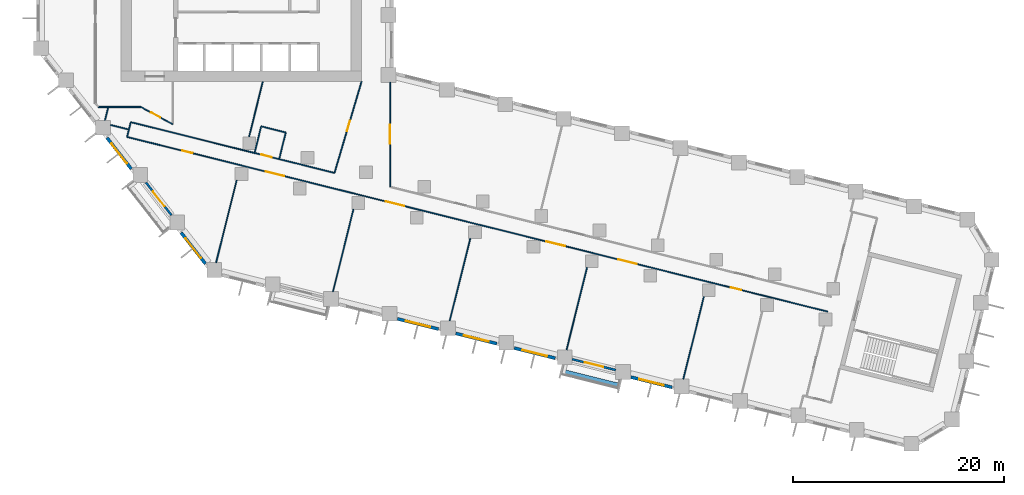
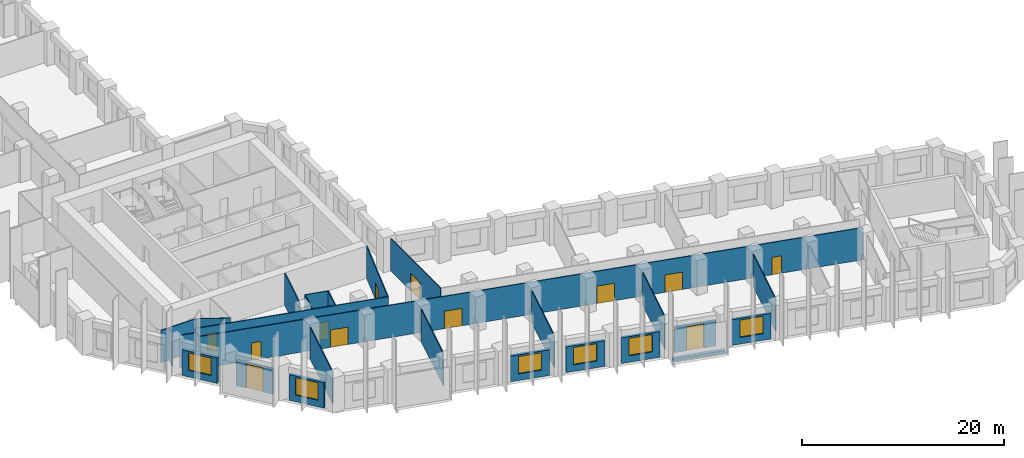
# One storey, part 3 of 12: 27 walls, 12 doors, 6 windows, 18 openings.
"""IFC4 building model written with IfcOpenShell, lengths in metres."""

from ifc_helpers import new_model, si_unit, direction, frame, frame_2d, origin, place, context, subcontext, project, spatial, rectangle, extrude, material, layer, layer_set, type_object, element, fill, save


model = new_model("IFC4")

# Units and contexts
model_context = context("Model", 3, precision=1e-05, world=origin(), true_north=direction((0.0, 1.0)))
body_context = subcontext(model_context, "Body", "Model", "MODEL_VIEW")
ifc_project = project(units=[si_unit("LENGTHUNIT", "METRE"), si_unit("AREAUNIT", "SQUARE_METRE"), si_unit("VOLUMEUNIT", "CUBIC_METRE"), si_unit("PLANEANGLEUNIT", "RADIAN"), si_unit("MASSUNIT", "GRAM", prefix="KILO")], contexts=[model_context])

# Site, building, storey
site_placement = place(None, origin())
site = spatial("IfcSite", under=ifc_project, at=site_placement, CompositionType="ELEMENT")
building_placement = place(site_placement, origin())
building = spatial("IfcBuilding", under=site, at=building_placement, Name="Meshkara Civic Tower", CompositionType="ELEMENT")
storey_placement = place(building_placement, frame((0.0, 0.0, 83.39990234375)))
storey = spatial("IfcBuildingStorey", under=building, at=storey_placement, Name="L18", CompositionType="ELEMENT", Elevation=83.39990234375)

# Wall
ifc_material_1 = material(Name="Corridor wall 100")
ifc_layer_1 = layer(ifc_material_1, 0.10009765625)
ifc_layer_set_1 = layer_set([ifc_layer_1], Name="Corridor wall 100")
wall_type_1 = type_object("IfcWallType", Name="Corridor wall 100", PredefinedType="PARTITIONING", material=ifc_layer_set_1)
wall_1_placement = place(storey_placement, frame((5.867919921875, 11.699951171875, 0.0), z_axis=(0.0, 0.0, 1.0), x_axis=(1.0, 0.0, 0.0)))
element("IfcWall", 1, at=wall_1_placement, inside=storey, type_object=wall_type_1, Name="L18-W006", PredefinedType="PARTITIONING", context=body_context, shape_type="SweptSolid", body=[
    extrude(rectangle(XDim=4.031982421875, YDim=0.10009765625, at=frame_2d((2.01611328125, 0.0))), origin(), (0.0, 0.0, 1.0), 3.900146484375),
])

# Wall, openings, doors
wall_2_placement = place(storey_placement, frame((8.593994140625, 8.862060546875, 0.0), z_axis=(0.0, 0.0, 1.0), x_axis=(0.970293746648, -0.241929835316, 0.0)))
wall_2 = element("IfcWall", 2, at=wall_2_placement, inside=storey, type_object=wall_type_1, Name="L18-W008", PredefinedType="PARTITIONING", context=body_context, shape_type="SweptSolid", body=[
    extrude(rectangle(XDim=68.375244140625, YDim=0.10009765625, at=frame_2d((34.1875, 0.0))), origin(), (0.0, 0.0, 1.0), 3.900146484375),
])
opening_1_placement = place(wall_2_placement, frame((40.93994140625, 0.0, 0.0)))
opening_1 = element("IfcOpeningElement", 3, at=opening_1_placement, cuts=wall_2, Name="Opening L18-D003", PredefinedType="OPENING", context=body_context, shape_type="SweptSolid", body=[
    extrude(rectangle(XDim=1.800048828125, YDim=2.10009765625, at=frame_2d((0.89990234375, 1.050048828125))), frame((0.0, 0.06005859375, 0.0), z_axis=(0.0, -1.0, 0.0), x_axis=(1.0, 0.0, 0.0)), (0.0, 0.0, 1.0), 0.1201171875),
])
opening_2_placement = place(wall_2_placement, frame((47.94091796875, 0.0, 0.0)))
opening_2 = element("IfcOpeningElement", 4, at=opening_2_placement, cuts=wall_2, Name="Opening L18-D005", PredefinedType="OPENING", context=body_context, shape_type="SweptSolid", body=[
    extrude(rectangle(XDim=1.800048828125, YDim=2.10009765625, at=frame_2d((0.89990234375, 1.050048828125))), frame((0.0, 0.06005859375, 0.0), z_axis=(0.0, -1.0, 0.0), x_axis=(1.0, 0.0, 0.0)), (0.0, 0.0, 1.0), 0.1201171875),
])
opening_3_placement = place(wall_2_placement, frame((58.93994140625, 0.0, 0.0)))
opening_3 = element("IfcOpeningElement", 5, at=opening_3_placement, cuts=wall_2, Name="Opening L18-D006", PredefinedType="OPENING", context=body_context, shape_type="SweptSolid", body=[
    extrude(rectangle(XDim=1.0, YDim=2.10009765625, at=frame_2d((0.5, 1.050048828125))), frame((0.0, 0.06005859375, 0.0), z_axis=(0.0, -1.0, 0.0), x_axis=(1.0, 0.0, 0.0)), (0.0, 0.0, 1.0), 0.1201171875),
])
opening_4_placement = place(wall_2_placement, frame((13.5400390625, 0.0, 0.0)))
opening_4 = element("IfcOpeningElement", 6, at=opening_4_placement, cuts=wall_2, Name="Opening L18-D010", PredefinedType="OPENING", context=body_context, shape_type="SweptSolid", body=[
    extrude(rectangle(XDim=1.800048828125, YDim=2.10009765625, at=frame_2d((0.89990234375, 1.050048828125))), frame((0.0, 0.06005859375, 0.0), z_axis=(0.0, -1.0, 0.0), x_axis=(1.0, 0.0, 0.0)), (0.0, 0.0, 1.0), 0.1201171875),
])
opening_5_placement = place(wall_2_placement, frame((25.239990234375, 0.0, 0.0)))
opening_5 = element("IfcOpeningElement", 7, at=opening_5_placement, cuts=wall_2, Name="Opening L18-D011", PredefinedType="OPENING", context=body_context, shape_type="SweptSolid", body=[
    extrude(rectangle(XDim=1.800048828125, YDim=2.10009765625, at=frame_2d((0.89990234375, 1.050048828125))), frame((0.0, 0.06005859375, 0.0), z_axis=(0.0, -1.0, 0.0), x_axis=(1.0, 0.0, 0.0)), (0.0, 0.0, 1.0), 0.1201171875),
])
opening_6_placement = place(wall_2_placement, frame((5.3798828125, 0.0, 0.0)))
opening_6 = element("IfcOpeningElement", 8, at=opening_6_placement, cuts=wall_2, Name="Opening L18-D014", PredefinedType="OPENING", context=body_context, shape_type="SweptSolid", body=[
    extrude(rectangle(XDim=1.0, YDim=2.10009765625, at=frame_2d((0.5, 1.050048828125))), frame((0.0, 0.06005859375, 0.0), z_axis=(0.0, -1.0, 0.0), x_axis=(1.0, 0.0, 0.0)), (0.0, 0.0, 1.0), 0.1201171875),
])
ifc_material_2 = material(Name="Door 1000 x 2100")
door_type_1 = type_object("IfcDoorType", Name="Door 1000 x 2100", OperationType="SINGLE_SWING_LEFT", PredefinedType="DOOR", material=ifc_material_2)
door_1_placement = place(opening_3_placement, origin())
door_1 = element("IfcDoor", 9, at=door_1_placement, inside=storey, type_object=door_type_1, Name="L18-D006", OperationType="SINGLE_SWING_RIGHT", OverallHeight=2.10009765625, OverallWidth=1.0, PredefinedType="DOOR", context=body_context, shape_type="SweptSolid", body=[
    extrude(rectangle(XDim=1.0, YDim=2.10009765625, at=frame_2d((0.5, 1.050048828125))), frame((0.0, 0.02490234375, 0.0), z_axis=(0.0, -1.0, 0.0), x_axis=(1.0, 0.0, 0.0)), (0.0, 0.0, 1.0), 0.050048828125),
])
fill(opening_3, door_1)
door_2_placement = place(opening_6_placement, origin())
door_2 = element("IfcDoor", 10, at=door_2_placement, inside=storey, type_object=door_type_1, Name="L18-D014", OperationType="SINGLE_SWING_LEFT", OverallHeight=2.10009765625, OverallWidth=1.0, PredefinedType="DOOR", context=body_context, shape_type="SweptSolid", body=[
    extrude(rectangle(XDim=1.0, YDim=2.10009765625, at=frame_2d((0.5, 1.050048828125))), frame((0.0, 0.02490234375, 0.0), z_axis=(0.0, -1.0, 0.0), x_axis=(1.0, 0.0, 0.0)), (0.0, 0.0, 1.0), 0.050048828125),
])
fill(opening_6, door_2)
ifc_material_3 = material(Name="Door pair 1800 x 2100")
door_type_2 = type_object("IfcDoorType", Name="Door pair 1800 x 2100", OperationType="SINGLE_SWING_LEFT", PredefinedType="DOOR", material=ifc_material_3)
door_3_placement = place(opening_1_placement, origin())
door_3 = element("IfcDoor", 11, at=door_3_placement, inside=storey, type_object=door_type_2, Name="L18-D003", OperationType="DOUBLE_DOOR_SINGLE_SWING", OverallHeight=2.10009765625, OverallWidth=1.800048828125, PredefinedType="DOOR", context=body_context, shape_type="SweptSolid", body=[
    extrude(rectangle(XDim=1.800048828125, YDim=2.10009765625, at=frame_2d((0.89990234375, 1.050048828125))), frame((0.0, 0.02490234375, 0.0), z_axis=(0.0, -1.0, 0.0), x_axis=(1.0, 0.0, 0.0)), (0.0, 0.0, 1.0), 0.050048828125),
])
fill(opening_1, door_3)
door_4_placement = place(opening_2_placement, origin())
door_4 = element("IfcDoor", 12, at=door_4_placement, inside=storey, type_object=door_type_2, Name="L18-D005", OperationType="DOUBLE_DOOR_SINGLE_SWING", OverallHeight=2.10009765625, OverallWidth=1.800048828125, PredefinedType="DOOR", context=body_context, shape_type="SweptSolid", body=[
    extrude(rectangle(XDim=1.800048828125, YDim=2.10009765625, at=frame_2d((0.89990234375, 1.050048828125))), frame((0.0, 0.02490234375, 0.0), z_axis=(0.0, -1.0, 0.0), x_axis=(1.0, 0.0, 0.0)), (0.0, 0.0, 1.0), 0.050048828125),
])
fill(opening_2, door_4)
door_5_placement = place(opening_4_placement, origin())
door_5 = element("IfcDoor", 13, at=door_5_placement, inside=storey, type_object=door_type_2, Name="L18-D010", OperationType="DOUBLE_DOOR_SINGLE_SWING", OverallHeight=2.10009765625, OverallWidth=1.800048828125, PredefinedType="DOOR", context=body_context, shape_type="SweptSolid", body=[
    extrude(rectangle(XDim=1.800048828125, YDim=2.10009765625, at=frame_2d((0.89990234375, 1.050048828125))), frame((0.0, 0.02490234375, 0.0), z_axis=(0.0, -1.0, 0.0), x_axis=(1.0, 0.0, 0.0)), (0.0, 0.0, 1.0), 0.050048828125),
])
fill(opening_4, door_5)
door_6_placement = place(opening_5_placement, origin())
door_6 = element("IfcDoor", 14, at=door_6_placement, inside=storey, type_object=door_type_2, Name="L18-D011", OperationType="DOUBLE_DOOR_SINGLE_SWING", OverallHeight=2.10009765625, OverallWidth=1.800048828125, PredefinedType="DOOR", context=body_context, shape_type="SweptSolid", body=[
    extrude(rectangle(XDim=1.800048828125, YDim=2.10009765625, at=frame_2d((0.89990234375, 1.050048828125))), frame((0.0, 0.02490234375, 0.0), z_axis=(0.0, -1.0, 0.0), x_axis=(1.0, 0.0, 0.0)), (0.0, 0.0, 1.0), 0.050048828125),
])
fill(opening_5, door_6)

# Wall, opening, door
wall_3_placement = place(storey_placement, frame((8.944091796875, 10.263916015625, 0.0), z_axis=(0.0, 0.0, 1.0), x_axis=(0.970300504447, -0.241902730595, 0.0)))
wall_3 = element("IfcWall", 15, at=wall_3_placement, inside=storey, type_object=wall_type_1, Name="L18-W009", PredefinedType="PARTITIONING", context=body_context, shape_type="SweptSolid", body=[
    extrude(rectangle(XDim=19.879150390625, YDim=0.10009765625, at=frame_2d((9.939453125, 0.0))), origin(), (0.0, 0.0, 1.0), 3.900146484375),
])
opening_7_placement = place(wall_3_placement, frame((12.759033203125, 0.0, 0.0)))
opening_7 = element("IfcOpeningElement", 16, at=opening_7_placement, cuts=wall_3, Name="Opening L18-D015", PredefinedType="OPENING", context=body_context, shape_type="SweptSolid", body=[
    extrude(rectangle(XDim=1.0, YDim=2.10009765625, at=frame_2d((0.5, 1.050048828125))), frame((0.0, 0.06005859375, 0.0), z_axis=(0.0, -1.0, 0.0), x_axis=(1.0, 0.0, 0.0)), (0.0, 0.0, 1.0), 0.1201171875),
])
door_7_placement = place(opening_7_placement, origin())
door_7 = element("IfcDoor", 17, at=door_7_placement, inside=storey, type_object=door_type_1, Name="L18-D015", OperationType="SINGLE_SWING_LEFT", OverallHeight=2.10009765625, OverallWidth=1.0, PredefinedType="DOOR", context=body_context, shape_type="SweptSolid", body=[
    extrude(rectangle(XDim=1.0, YDim=2.10009765625, at=frame_2d((0.5, 1.050048828125))), frame((0.0, 0.02490234375, 0.0), z_axis=(0.0, -1.0, 0.0), x_axis=(1.0, 0.0, 0.0)), (0.0, 0.0, 1.0), 0.050048828125),
])
fill(opening_7, door_7)

# Wall
wall_4_placement = place(storey_placement, frame((8.944091796875, 10.263916015625, 0.0), z_axis=(0.0, 0.0, 1.0), x_axis=(-0.242297077633, -0.970202105837, 0.0)))
element("IfcWall", 18, at=wall_4_placement, inside=storey, type_object=wall_type_1, Name="L18-W010", PredefinedType="PARTITIONING", context=body_context, shape_type="SweptSolid", body=[
    extrude(rectangle(XDim=1.44482421875, YDim=0.10009765625, at=frame_2d((0.722412109375, 0.0))), origin(), (0.0, 0.0, 1.0), 3.900146484375),
])

# Wall, opening, door
wall_5_placement = place(storey_placement, frame((9.89990234375, 11.699951171875, 0.0), z_axis=(0.0, 0.0, 1.0), x_axis=(0.87965147249, -0.475618846291, 0.0)))
wall_5 = element("IfcWall", 19, at=wall_5_placement, inside=storey, type_object=wall_type_1, Name="L18-W011", PredefinedType="PARTITIONING", context=body_context, shape_type="SweptSolid", body=[
    extrude(rectangle(XDim=3.410400390625, YDim=0.10009765625, at=frame_2d((1.705078125, 0.0))), origin(), (0.0, 0.0, 1.0), 3.900146484375),
])
opening_8_placement = place(wall_5_placement, frame((1.080078125, 0.0, 0.0)))
opening_8 = element("IfcOpeningElement", 20, at=opening_8_placement, cuts=wall_5, Name="Opening L18-D013", PredefinedType="OPENING", context=body_context, shape_type="SweptSolid", body=[
    extrude(rectangle(XDim=1.0, YDim=2.10009765625, at=frame_2d((0.5, 1.050048828125))), frame((0.0, 0.06005859375, 0.0), z_axis=(0.0, -1.0, 0.0), x_axis=(1.0, 0.0, 0.0)), (0.0, 0.0, 1.0), 0.1201171875),
])
door_8_placement = place(opening_8_placement, origin())
door_8 = element("IfcDoor", 21, at=door_8_placement, inside=storey, type_object=door_type_1, Name="L18-D013", OperationType="SINGLE_SWING_RIGHT", OverallHeight=2.10009765625, OverallWidth=1.0, PredefinedType="DOOR", context=body_context, shape_type="SweptSolid", body=[
    extrude(rectangle(XDim=1.0, YDim=2.10009765625, at=frame_2d((0.5, 1.050048828125))), frame((0.0, 0.02490234375, 0.0), z_axis=(0.0, -1.0, 0.0), x_axis=(1.0, 0.0, 0.0)), (0.0, 0.0, 1.0), 0.050048828125),
])
fill(opening_8, door_8)

wall_6_placement = place(storey_placement, frame((30.800048828125, 14.10009765625, 0.0), z_axis=(0.0, 0.0, 1.0), x_axis=(-0.284664373847, -0.95862724469, 0.0)))
wall_6 = element("IfcWall", 22, at=wall_6_placement, inside=storey, type_object=wall_type_1, Name="L18-W021", PredefinedType="PARTITIONING", context=body_context, shape_type="SweptSolid", body=[
    extrude(rectangle(XDim=9.01806640625, YDim=0.10009765625, at=frame_2d((4.509033203125, 0.0))), origin(), (0.0, 0.0, 1.0), 3.900146484375),
])
opening_9_placement = place(wall_6_placement, frame((3.8798828125, 0.0, 0.0)))
opening_9 = element("IfcOpeningElement", 23, at=opening_9_placement, cuts=wall_6, Name="Opening L18-D016", PredefinedType="OPENING", context=body_context, shape_type="SweptSolid", body=[
    extrude(rectangle(XDim=1.0, YDim=2.10009765625, at=frame_2d((0.5, 1.050048828125))), frame((0.0, 0.06005859375, 0.0), z_axis=(0.0, -1.0, 0.0), x_axis=(1.0, 0.0, 0.0)), (0.0, 0.0, 1.0), 0.1201171875),
])
door_9_placement = place(opening_9_placement, origin())
door_9 = element("IfcDoor", 24, at=door_9_placement, inside=storey, type_object=door_type_1, Name="L18-D016", OperationType="SINGLE_SWING_RIGHT", OverallHeight=2.10009765625, OverallWidth=1.0, PredefinedType="DOOR", context=body_context, shape_type="SweptSolid", body=[
    extrude(rectangle(XDim=1.0, YDim=2.10009765625, at=frame_2d((0.5, 1.050048828125))), frame((0.0, 0.02490234375, 0.0), z_axis=(0.0, -1.0, 0.0), x_axis=(1.0, 0.0, 0.0)), (0.0, 0.0, 1.0), 0.050048828125),
])
fill(opening_9, door_9)

wall_7_placement = place(storey_placement, frame((33.5, 4.14111328125, 0.0), z_axis=(0.0, 0.0, 1.0), x_axis=(0.0, 1.0, 0.0)))
wall_7 = element("IfcWall", 25, at=wall_7_placement, inside=storey, type_object=wall_type_1, Name="L18-W023", PredefinedType="PARTITIONING", context=body_context, shape_type="SweptSolid", body=[
    extrude(rectangle(XDim=9.8779296875, YDim=0.10009765625, at=frame_2d((4.93896484375, 0.0))), origin(), (0.0, 0.0, 1.0), 3.900146484375),
])
opening_10_placement = place(wall_7_placement, frame((4.080078125, 0.0, 0.0)))
opening_10 = element("IfcOpeningElement", 26, at=opening_10_placement, cuts=wall_7, Name="Opening L18-D017", PredefinedType="OPENING", context=body_context, shape_type="SweptSolid", body=[
    extrude(rectangle(XDim=1.800048828125, YDim=2.10009765625, at=frame_2d((0.89990234375, 1.050048828125))), frame((0.0, 0.06005859375, 0.0), z_axis=(0.0, -1.0, 0.0), x_axis=(1.0, 0.0, 0.0)), (0.0, 0.0, 1.0), 0.1201171875),
])
door_10_placement = place(opening_10_placement, origin())
door_10 = element("IfcDoor", 27, at=door_10_placement, inside=storey, type_object=door_type_2, Name="L18-D017", OperationType="DOUBLE_DOOR_SINGLE_SWING", OverallHeight=2.10009765625, OverallWidth=1.800048828125, PredefinedType="DOOR", context=body_context, shape_type="SweptSolid", body=[
    extrude(rectangle(XDim=1.800048828125, YDim=2.10009765625, at=frame_2d((0.89990234375, 1.050048828125))), frame((0.0, 0.02490234375, 0.0), z_axis=(0.0, -1.0, 0.0), x_axis=(1.0, 0.0, 0.0)), (0.0, 0.0, 1.0), 0.050048828125),
])
fill(opening_10, door_10)

# Wall, opening, window
ifc_material_4 = material(Name="Insulated infill panel with bronze anodised aluminium cladding", Category="aluminium")
ifc_layer_2 = layer(ifc_material_4, 0.300048828125)
ifc_layer_set_2 = layer_set([ifc_layer_2], Name="EXTERNAL INFILL WALL 300")
wall_type_2 = type_object("IfcWallType", Name="EXTERNAL INFILL WALL 300", PredefinedType="SOLIDWALL", material=ifc_layer_set_2)
wall_8_placement = place(storey_placement, frame((6.69189453125, 8.778076171875, 0.0), z_axis=(0.0, 0.0, 1.0), x_axis=(0.615767067156, -0.787928244833, 0.0)))
wall_8 = element("IfcWall", 28, at=wall_8_placement, inside=storey, type_object=wall_type_2, Name="External wall", PredefinedType="SOLIDWALL", context=body_context, shape_type="SweptSolid", body=[
    extrude(rectangle(XDim=3.7353515625, YDim=0.300048828125, at=frame_2d((1.86767578125, 0.0))), origin(), (0.0, 0.0, 1.0), 3.10009765625),
])
opening_11_placement = place(wall_8_placement, frame((0.66796875, 0.0, 0.800048828125)))
opening_11 = element("IfcOpeningElement", 29, at=opening_11_placement, cuts=wall_8, Name="Opening W7", PredefinedType="OPENING", context=body_context, shape_type="SweptSolid", body=[
    extrude(rectangle(XDim=2.39990234375, YDim=2.10009765625, at=frame_2d((1.199951171875, 1.050048828125))), frame((0.0, 0.159912109375, 0.0), z_axis=(0.0, -1.0, 0.0), x_axis=(1.0, 0.0, 0.0)), (0.0, 0.0, 1.0), 0.320068359375),
])
ifc_material_5 = material(Name="Tinted double glazing", Category="glass")
window_type = type_object("IfcWindowType", Name="WINDOW 2400x2100", PartitioningType="DOUBLE_PANEL_VERTICAL", PredefinedType="WINDOW", material=ifc_material_5)
window_1_placement = place(opening_11_placement, origin())
window_1 = element("IfcWindow", 30, at=window_1_placement, inside=storey, type_object=window_type, Name="Window", OverallHeight=2.10009765625, OverallWidth=2.39990234375, PartitioningType="DOUBLE_PANEL_VERTICAL", PredefinedType="WINDOW", context=body_context, shape_type="SweptSolid", body=[
    extrude(rectangle(XDim=2.39990234375, YDim=2.10009765625, at=frame_2d((1.199951171875, 1.050048828125))), frame((0.0, 0.030029296875, 0.0), z_axis=(0.0, -1.0, 0.0), x_axis=(1.0, 0.0, 0.0)), (0.0, 0.0, 1.0), 0.06005859375),
])
fill(opening_11, window_1)

wall_9_placement = place(storey_placement, frame((13.7099609375, -0.205078125, 0.0), z_axis=(0.0, 0.0, 1.0), x_axis=(0.615798780214, -0.787903460004, 0.0)))
wall_9 = element("IfcWall", 31, at=wall_9_placement, inside=storey, type_object=wall_type_2, Name="External wall", PredefinedType="SOLIDWALL", context=body_context, shape_type="SweptSolid", body=[
    extrude(rectangle(XDim=3.735107421875, YDim=0.300048828125, at=frame_2d((1.86767578125, 0.0))), origin(), (0.0, 0.0, 1.0), 3.10009765625),
])
opening_12_placement = place(wall_9_placement, frame((0.6669921875, 0.0, 0.800048828125)))
opening_12 = element("IfcOpeningElement", 32, at=opening_12_placement, cuts=wall_9, Name="Opening W7", PredefinedType="OPENING", context=body_context, shape_type="SweptSolid", body=[
    extrude(rectangle(XDim=2.39990234375, YDim=2.10009765625, at=frame_2d((1.199951171875, 1.050048828125))), frame((0.0, 0.159912109375, 0.0), z_axis=(0.0, -1.0, 0.0), x_axis=(1.0, 0.0, 0.0)), (0.0, 0.0, 1.0), 0.320068359375),
])
window_2_placement = place(opening_12_placement, origin())
window_2 = element("IfcWindow", 33, at=window_2_placement, inside=storey, type_object=window_type, Name="Window", OverallHeight=2.10009765625, OverallWidth=2.39990234375, PartitioningType="DOUBLE_PANEL_VERTICAL", PredefinedType="WINDOW", context=body_context, shape_type="SweptSolid", body=[
    extrude(rectangle(XDim=2.39990234375, YDim=2.10009765625, at=frame_2d((1.199951171875, 1.050048828125))), frame((0.0, 0.030029296875, 0.0), z_axis=(0.0, -1.0, 0.0), x_axis=(1.0, 0.0, 0.0)), (0.0, 0.0, 1.0), 0.06005859375),
])
fill(opening_12, window_2)

wall_10_placement = place(storey_placement, frame((34.194091796875, -8.37109375, 0.0), z_axis=(0.0, 0.0, 1.0), x_axis=(0.970314477803, -0.241846674911, 0.0)))
wall_10 = element("IfcWall", 34, at=wall_10_placement, inside=storey, type_object=wall_type_2, Name="External wall", PredefinedType="SOLIDWALL", context=body_context, shape_type="SweptSolid", body=[
    extrude(rectangle(XDim=4.002685546875, YDim=0.300048828125, at=frame_2d((2.00146484375, 0.0))), origin(), (0.0, 0.0, 1.0), 3.10009765625),
])
opening_13_placement = place(wall_10_placement, frame((0.802001953125, 0.0, 0.800048828125)))
opening_13 = element("IfcOpeningElement", 35, at=opening_13_placement, cuts=wall_10, Name="Opening W7", PredefinedType="OPENING", context=body_context, shape_type="SweptSolid", body=[
    extrude(rectangle(XDim=2.39990234375, YDim=2.10009765625, at=frame_2d((1.199951171875, 1.050048828125))), frame((0.0, 0.159912109375, 0.0), z_axis=(0.0, -1.0, 0.0), x_axis=(1.0, 0.0, 0.0)), (0.0, 0.0, 1.0), 0.320068359375),
])
window_3_placement = place(opening_13_placement, origin())
window_3 = element("IfcWindow", 36, at=window_3_placement, inside=storey, type_object=window_type, Name="Window", OverallHeight=2.10009765625, OverallWidth=2.39990234375, PartitioningType="DOUBLE_PANEL_VERTICAL", PredefinedType="WINDOW", context=body_context, shape_type="SweptSolid", body=[
    extrude(rectangle(XDim=2.39990234375, YDim=2.10009765625, at=frame_2d((1.199951171875, 1.050048828125))), frame((0.0, 0.030029296875, 0.0), z_axis=(0.0, -1.0, 0.0), x_axis=(1.0, 0.0, 0.0)), (0.0, 0.0, 1.0), 0.06005859375),
])
fill(opening_13, window_3)

wall_11_placement = place(storey_placement, frame((39.72509765625, -9.75, 0.0), z_axis=(0.0, 0.0, 1.0), x_axis=(0.970314477803, -0.241846674911, 0.0)))
wall_11 = element("IfcWall", 37, at=wall_11_placement, inside=storey, type_object=wall_type_2, Name="External wall", PredefinedType="SOLIDWALL", context=body_context, shape_type="SweptSolid", body=[
    extrude(rectangle(XDim=4.002685546875, YDim=0.300048828125, at=frame_2d((2.00146484375, 0.0))), origin(), (0.0, 0.0, 1.0), 3.10009765625),
])
opening_14_placement = place(wall_11_placement, frame((0.801025390625, 0.0, 0.800048828125)))
opening_14 = element("IfcOpeningElement", 38, at=opening_14_placement, cuts=wall_11, Name="Opening W7", PredefinedType="OPENING", context=body_context, shape_type="SweptSolid", body=[
    extrude(rectangle(XDim=2.39990234375, YDim=2.10009765625, at=frame_2d((1.199951171875, 1.050048828125))), frame((0.0, 0.159912109375, 0.0), z_axis=(0.0, -1.0, 0.0), x_axis=(1.0, 0.0, 0.0)), (0.0, 0.0, 1.0), 0.320068359375),
])
window_4_placement = place(opening_14_placement, origin())
window_4 = element("IfcWindow", 39, at=window_4_placement, inside=storey, type_object=window_type, Name="Window", OverallHeight=2.10009765625, OverallWidth=2.39990234375, PartitioningType="DOUBLE_PANEL_VERTICAL", PredefinedType="WINDOW", context=body_context, shape_type="SweptSolid", body=[
    extrude(rectangle(XDim=2.39990234375, YDim=2.10009765625, at=frame_2d((1.199951171875, 1.050048828125))), frame((0.0, 0.030029296875, 0.0), z_axis=(0.0, -1.0, 0.0), x_axis=(1.0, 0.0, 0.0)), (0.0, 0.0, 1.0), 0.06005859375),
])
fill(opening_14, window_4)

wall_12_placement = place(storey_placement, frame((45.256103515625, -11.12890625, 0.0), z_axis=(0.0, 0.0, 1.0), x_axis=(0.970300202301, -0.241903942538, 0.0)))
wall_12 = element("IfcWall", 40, at=wall_12_placement, inside=storey, type_object=wall_type_2, Name="External wall", PredefinedType="SOLIDWALL", context=body_context, shape_type="SweptSolid", body=[
    extrude(rectangle(XDim=4.001708984375, YDim=0.300048828125, at=frame_2d((2.0009765625, 0.0))), origin(), (0.0, 0.0, 1.0), 3.10009765625),
])
opening_15_placement = place(wall_12_placement, frame((0.801025390625, 0.0, 0.800048828125)))
opening_15 = element("IfcOpeningElement", 41, at=opening_15_placement, cuts=wall_12, Name="Opening W7", PredefinedType="OPENING", context=body_context, shape_type="SweptSolid", body=[
    extrude(rectangle(XDim=2.39990234375, YDim=2.10009765625, at=frame_2d((1.199951171875, 1.050048828125))), frame((0.0, 0.159912109375, 0.0), z_axis=(0.0, -1.0, 0.0), x_axis=(1.0, 0.0, 0.0)), (0.0, 0.0, 1.0), 0.320068359375),
])
window_5_placement = place(opening_15_placement, origin())
window_5 = element("IfcWindow", 42, at=window_5_placement, inside=storey, type_object=window_type, Name="Window", OverallHeight=2.10009765625, OverallWidth=2.39990234375, PartitioningType="DOUBLE_PANEL_VERTICAL", PredefinedType="WINDOW", context=body_context, shape_type="SweptSolid", body=[
    extrude(rectangle(XDim=2.39990234375, YDim=2.10009765625, at=frame_2d((1.199951171875, 1.050048828125))), frame((0.0, 0.030029296875, 0.0), z_axis=(0.0, -1.0, 0.0), x_axis=(1.0, 0.0, 0.0)), (0.0, 0.0, 1.0), 0.06005859375),
])
fill(opening_15, window_5)

wall_13_placement = place(storey_placement, frame((56.31689453125, -13.886962890625, 0.0), z_axis=(0.0, 0.0, 1.0), x_axis=(0.970318045095, -0.24183236211, 0.0)))
wall_13 = element("IfcWall", 43, at=wall_13_placement, inside=storey, type_object=wall_type_2, Name="External wall", PredefinedType="SOLIDWALL", context=body_context, shape_type="SweptSolid", body=[
    extrude(rectangle(XDim=4.0029296875, YDim=0.300048828125, at=frame_2d((2.00146484375, 0.0))), origin(), (0.0, 0.0, 1.0), 3.10009765625),
])
opening_16_placement = place(wall_13_placement, frame((0.802001953125, 0.0, 0.800048828125)))
opening_16 = element("IfcOpeningElement", 44, at=opening_16_placement, cuts=wall_13, Name="Opening W7", PredefinedType="OPENING", context=body_context, shape_type="SweptSolid", body=[
    extrude(rectangle(XDim=2.39990234375, YDim=2.10009765625, at=frame_2d((1.199951171875, 1.050048828125))), frame((0.0, 0.159912109375, 0.0), z_axis=(0.0, -1.0, 0.0), x_axis=(1.0, 0.0, 0.0)), (0.0, 0.0, 1.0), 0.320068359375),
])
window_6_placement = place(opening_16_placement, origin())
window_6 = element("IfcWindow", 45, at=window_6_placement, inside=storey, type_object=window_type, Name="Window", OverallHeight=2.10009765625, OverallWidth=2.39990234375, PartitioningType="DOUBLE_PANEL_VERTICAL", PredefinedType="WINDOW", context=body_context, shape_type="SweptSolid", body=[
    extrude(rectangle(XDim=2.39990234375, YDim=2.10009765625, at=frame_2d((1.199951171875, 1.050048828125))), frame((0.0, 0.030029296875, 0.0), z_axis=(0.0, -1.0, 0.0), x_axis=(1.0, 0.0, 0.0)), (0.0, 0.0, 1.0), 0.06005859375),
])
fill(opening_16, window_6)

# Wall, opening, door
ifc_material_6 = material(Name="Insulated infill panel with bronze anodised aluminium cladding", Category="aluminium")
ifc_layer_3 = layer(ifc_material_6, 0.199951171875)
ifc_layer_set_3 = layer_set([ifc_layer_3], Name="LOGGIA BACK WALL 200")
wall_type_3 = type_object("IfcWallType", Name="LOGGIA BACK WALL 200", PredefinedType="SOLIDWALL", material=ifc_layer_set_3)
wall_14_placement = place(storey_placement, frame((10.3798828125, 4.544921875, 0.0), z_axis=(0.0, 0.0, 1.0), x_axis=(0.615697185896, -0.787982852148, 0.0)))
wall_14 = element("IfcWall", 46, at=wall_14_placement, inside=storey, type_object=wall_type_3, Name="Loggia wall", PredefinedType="SOLIDWALL", context=body_context, shape_type="SweptSolid", body=[
    extrude(rectangle(XDim=3.92236328125, YDim=0.199951171875, at=frame_2d((1.961181640625, 0.0))), origin(), (0.0, 0.0, 1.0), 3.10009765625),
])
opening_17_placement = place(wall_14_placement, frame((1.06103515625, 0.0, 0.0)))
opening_17 = element("IfcOpeningElement", 47, at=opening_17_placement, cuts=wall_14, Name="Opening L18-L003", PredefinedType="OPENING", context=body_context, shape_type="SweptSolid", body=[
    extrude(rectangle(XDim=1.800048828125, YDim=2.89990234375, at=frame_2d((0.89990234375, 1.449951171875))), frame((0.0, 0.10986328125, 0.0), z_axis=(0.0, -1.0, 0.0), x_axis=(1.0, 0.0, 0.0)), (0.0, 0.0, 1.0), 0.219970703125),
])
ifc_material_7 = material(Name="Tinted double glazing", Category="glass")
door_type_3 = type_object("IfcDoorType", Name="LOGGIA DOOR 1800x2900", OperationType="DOUBLE_DOOR_SINGLE_SWING", PredefinedType="DOOR", material=ifc_material_7)
door_11_placement = place(opening_17_placement, origin())
door_11 = element("IfcDoor", 48, at=door_11_placement, inside=storey, type_object=door_type_3, Name="L18-L003", OperationType="DOUBLE_DOOR_SINGLE_SWING", OverallHeight=2.89990234375, OverallWidth=1.800048828125, PredefinedType="DOOR", context=body_context, shape_type="SweptSolid", body=[
    extrude(rectangle(XDim=1.800048828125, YDim=2.89990234375, at=frame_2d((0.89990234375, 1.449951171875))), frame((0.0, 0.02490234375, 0.0), z_axis=(0.0, -1.0, 0.0), x_axis=(1.0, 0.0, 0.0)), (0.0, 0.0, 1.0), 0.050048828125),
])
fill(opening_17, door_11)

wall_15_placement = place(storey_placement, frame((50.735107421875, -12.18603515625, 0.0), z_axis=(0.0, 0.0, 1.0), x_axis=(0.970290742877, -0.241941882045, 0.0)))
wall_15 = element("IfcWall", 49, at=wall_15_placement, inside=storey, type_object=wall_type_3, Name="Loggia wall", PredefinedType="SOLIDWALL", context=body_context, shape_type="SweptSolid", body=[
    extrude(rectangle(XDim=4.25732421875, YDim=0.199951171875, at=frame_2d((2.128662109375, 0.0))), origin(), (0.0, 0.0, 1.0), 3.10009765625),
])
opening_18_placement = place(wall_15_placement, frame((1.22802734375, 0.0, 0.0)))
opening_18 = element("IfcOpeningElement", 50, at=opening_18_placement, cuts=wall_15, Name="Opening L18-L005", PredefinedType="OPENING", context=body_context, shape_type="SweptSolid", body=[
    extrude(rectangle(XDim=1.800048828125, YDim=2.89990234375, at=frame_2d((0.89990234375, 1.449951171875))), frame((0.0, 0.10986328125, 0.0), z_axis=(0.0, -1.0, 0.0), x_axis=(1.0, 0.0, 0.0)), (0.0, 0.0, 1.0), 0.219970703125),
])
door_12_placement = place(opening_18_placement, origin())
door_12 = element("IfcDoor", 51, at=door_12_placement, inside=storey, type_object=door_type_3, Name="L18-L005", OperationType="DOUBLE_DOOR_SINGLE_SWING", OverallHeight=2.89990234375, OverallWidth=1.800048828125, PredefinedType="DOOR", context=body_context, shape_type="SweptSolid", body=[
    extrude(rectangle(XDim=1.800048828125, YDim=2.89990234375, at=frame_2d((0.89990234375, 1.449951171875))), frame((0.0, 0.02490234375, 0.0), z_axis=(0.0, -1.0, 0.0), x_axis=(1.0, 0.0, 0.0)), (0.0, 0.0, 1.0), 0.050048828125),
])
fill(opening_18, door_12)

# Walls
ifc_material_8 = material(Name="Concrete C40", Category="concrete")
ifc_layer_4 = layer(ifc_material_8, 0.39990234375)
ifc_layer_set_4 = layer_set([ifc_layer_4], Name="PLANTER TRAY")
wall_type_4 = type_object("IfcWallType", Name="PLANTER TRAY", PredefinedType="SOLIDWALL", material=ifc_layer_set_4)
wall_16_placement = place(storey_placement, frame((49.8779296875, -13.343017578125, 0.0), z_axis=(0.0, 0.0, 1.0), x_axis=(0.970292345375, -0.241935455249, 0.0)))
element("IfcWall", 52, at=wall_16_placement, inside=storey, type_object=wall_type_4, Name="Planter", PredefinedType="SOLIDWALL", context=body_context, shape_type="SweptSolid", body=[
    extrude(rectangle(XDim=5.3603515625, YDim=0.39990234375, at=frame_2d((2.68017578125, 0.0))), origin(), (0.0, 0.0, 1.0), 0.300048828125),
])
ifc_material_9 = material(Name="Partition 100")
ifc_layer_5 = layer(ifc_material_9, 0.10009765625)
ifc_layer_set_5 = layer_set([ifc_layer_5], Name="Partition 100")
wall_type_5 = type_object("IfcWallType", Name="Partition 100", PredefinedType="PARTITIONING", material=ifc_layer_set_5)
wall_17_placement = place(storey_placement, frame((6.797119140625, 11.637939453125, 0.0), z_axis=(0.0, 0.0, 1.0), x_axis=(-0.242396400943, -0.970177295555, 0.0)))
element("IfcWall", 53, at=wall_17_placement, inside=storey, type_object=wall_type_5, Name="L18-W034", PredefinedType="PARTITIONING", context=body_context, shape_type="SweptSolid", body=[
    extrude(rectangle(XDim=1.23779296875, YDim=0.10009765625, at=frame_2d((0.618896484375, 0.0))), origin(), (0.0, 0.0, 1.0), 3.900146484375),
])
wall_18_placement = place(storey_placement, frame((8.719970703125, 9.573974609375, 0.0), z_axis=(0.0, 0.0, 1.0), x_axis=(-0.97016712555, 0.242437102155, 0.0)))
element("IfcWall", 54, at=wall_18_placement, inside=storey, type_object=wall_type_5, Name="L18-W035", PredefinedType="PARTITIONING", context=body_context, shape_type="SweptSolid", body=[
    extrude(rectangle(XDim=1.749267578125, YDim=0.10009765625, at=frame_2d((0.87451171875, 0.0))), origin(), (0.0, 0.0, 1.0), 3.900146484375),
])
wall_19_placement = place(storey_placement, frame((17.02587890625, -3.0380859375, 0.0), z_axis=(0.0, 0.0, 1.0), x_axis=(0.241899423388, 0.970301328951, 0.0)))
element("IfcWall", 55, at=wall_19_placement, inside=storey, type_object=wall_type_5, Name="L18-W038", PredefinedType="PARTITIONING", context=body_context, shape_type="SweptSolid", body=[
    extrude(rectangle(XDim=8.036865234375, YDim=0.10009765625, at=frame_2d((4.0185546875, 0.0))), origin(), (0.0, 0.0, 1.0), 3.900146484375),
])
wall_20_placement = place(storey_placement, frame((20.14306640625, 8.87109375, 0.0), z_axis=(0.0, 0.0, 1.0), x_axis=(0.241959975721, 0.970286231042, 0.0)))
element("IfcWall", 56, at=wall_20_placement, inside=storey, type_object=wall_type_5, Name="L18-W039", PredefinedType="PARTITIONING", context=body_context, shape_type="SweptSolid", body=[
    extrude(rectangle(XDim=5.38916015625, YDim=0.10009765625, at=frame_2d((2.694580078125, 0.0))), origin(), (0.0, 0.0, 1.0), 3.900146484375),
])
wall_21_placement = place(storey_placement, frame((20.677001953125, 7.39111328125, 0.0), z_axis=(0.0, 0.0, 1.0), x_axis=(0.241972320765, 0.970283152478, 0.0)))
element("IfcWall", 57, at=wall_21_placement, inside=storey, type_object=wall_type_5, Name="L18-W041", PredefinedType="PARTITIONING", context=body_context, shape_type="SweptSolid", body=[
    extrude(rectangle(XDim=2.549560546875, YDim=0.10009765625, at=frame_2d((1.27490234375, 0.0))), origin(), (0.0, 0.0, 1.0), 3.900146484375),
])
wall_22_placement = place(storey_placement, frame((21.2939453125, 9.864990234375, 0.0), z_axis=(0.0, 0.0, 1.0), x_axis=(0.970238184317, -0.242152566975, 0.0)))
element("IfcWall", 58, at=wall_22_placement, inside=storey, type_object=wall_type_5, Name="L18-W042", PredefinedType="PARTITIONING", context=body_context, shape_type="SweptSolid", body=[
    extrude(rectangle(XDim=2.399658203125, YDim=0.10009765625, at=frame_2d((1.19970703125, 0.0))), origin(), (0.0, 0.0, 1.0), 3.900146484375),
])
wall_23_placement = place(storey_placement, frame((23.6220703125, 9.283935546875, 0.0), z_axis=(0.0, 0.0, 1.0), x_axis=(-0.241611677547, -0.970373019654, 0.0)))
element("IfcWall", 59, at=wall_23_placement, inside=storey, type_object=wall_type_5, Name="L18-W046", PredefinedType="PARTITIONING", context=body_context, shape_type="SweptSolid", body=[
    extrude(rectangle(XDim=2.54931640625, YDim=0.10009765625, at=frame_2d((1.274658203125, 0.0))), origin(), (0.0, 0.0, 1.0), 3.900146484375),
])
for number, where, z_axis, x_axis, name in (
    (60, (28.087890625, -5.7958984375, 0.0), (0.0, 0.0, 1.0), (0.241906553757, 0.970299551298, 0.0), "L18-W047"),
    (61, (39.14892578125, -8.553955078125, 0.0), (0.0, 0.0, 1.0), (0.241906553757, 0.970299551298, 0.0), "L18-W048"),
):
    element("IfcWall", number, at=place(storey_placement, frame(where, z_axis=z_axis, x_axis=x_axis)), inside=storey, type_object=wall_type_5, Name=name, PredefinedType="PARTITIONING", context=body_context, shape_type="SweptSolid", body=[
        extrude(rectangle(XDim=8.03662109375, YDim=0.10009765625, at=frame_2d((4.018310546875, 0.0))), origin(), (0.0, 0.0, 1.0), 3.900146484375),
    ])
wall_24_placement = place(storey_placement, frame((50.2099609375, -11.31103515625, 0.0), z_axis=(0.0, 0.0, 1.0), x_axis=(0.241927947306, 0.970294217396, 0.0)))
element("IfcWall", 62, at=wall_24_placement, inside=storey, type_object=wall_type_5, Name="L18-W050", PredefinedType="PARTITIONING", context=body_context, shape_type="SweptSolid", body=[
    extrude(rectangle(XDim=8.035888671875, YDim=0.10009765625, at=frame_2d((4.01806640625, 0.0))), origin(), (0.0, 0.0, 1.0), 3.900146484375),
])
wall_25_placement = place(storey_placement, frame((61.27197265625, -14.069091796875, 0.0), z_axis=(0.0, 0.0, 1.0), x_axis=(0.241899423388, 0.970301328951, 0.0)))
element("IfcWall", 63, at=wall_25_placement, inside=storey, type_object=wall_type_5, Name="L18-W052", PredefinedType="PARTITIONING", context=body_context, shape_type="SweptSolid", body=[
    extrude(rectangle(XDim=8.036865234375, YDim=0.10009765625, at=frame_2d((4.0185546875, 0.0))), origin(), (0.0, 0.0, 1.0), 3.900146484375),
])

save(model, "model.ifc")
